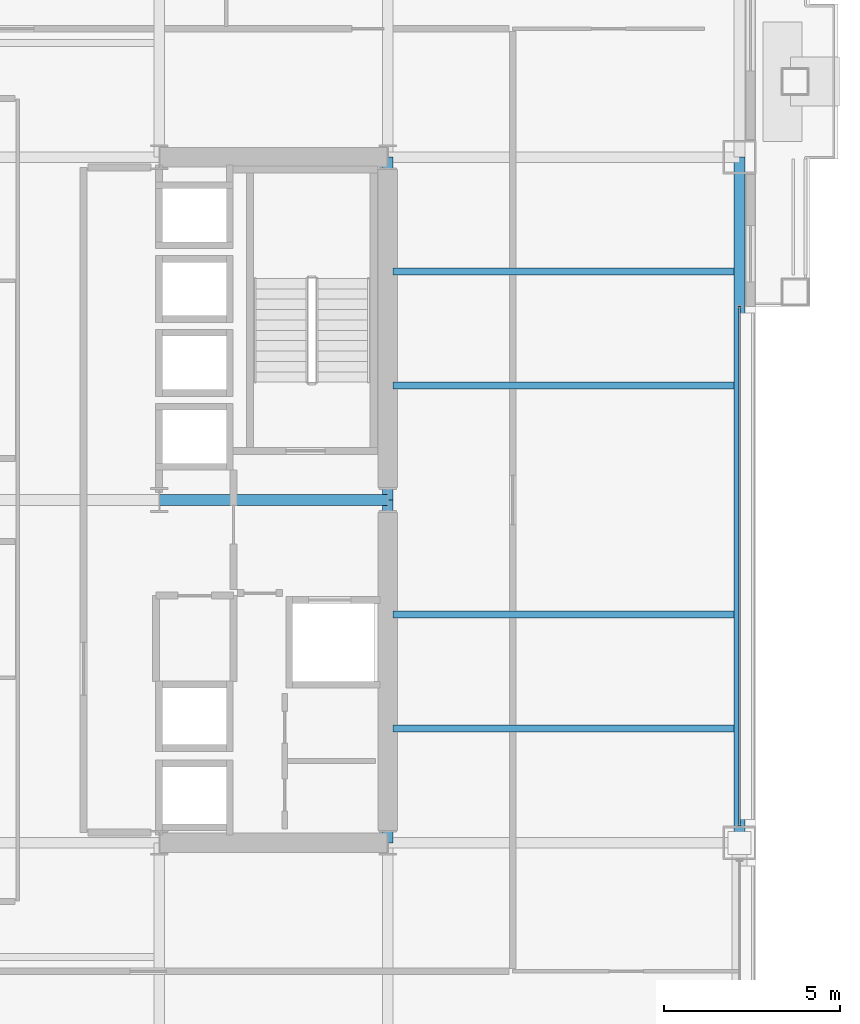
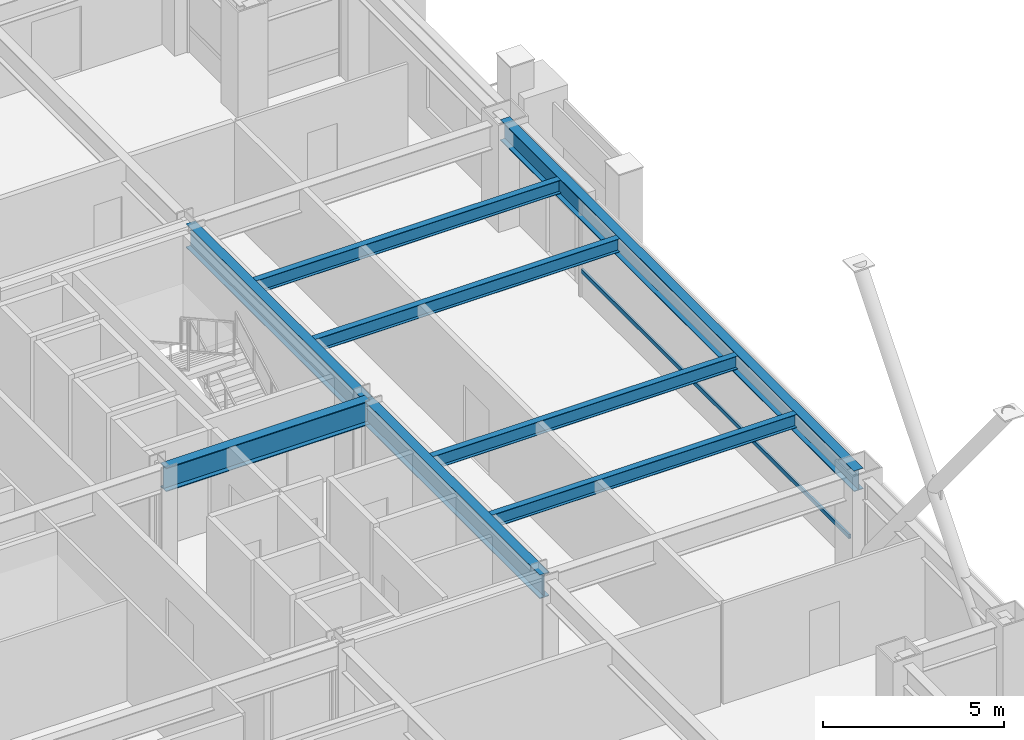
# One storey, part 14 of 33: 8 beams, 1 member, 1 element without a shape of its own.
"""IFC4 building model written with IfcOpenShell, lengths in metres."""

from ifc_helpers import new_model, si_unit, direction, frame, origin, origin_2d, place, context, subcontext, project, spatial, hollow_rectangle, i_section, extrude, material, layer, layer_set, material_profile, profile_set, type_object, element, aggregate, save


model = new_model("IFC4")

# Units and contexts
model_context = context("Model", 3, precision=1e-05, world=origin(), true_north=direction((0.0, 1.0)))
body_context = subcontext(model_context, "Body", "Model", "MODEL_VIEW")
ifc_project = project(units=[si_unit("LENGTHUNIT", "METRE"), si_unit("AREAUNIT", "SQUARE_METRE"), si_unit("VOLUMEUNIT", "CUBIC_METRE"), si_unit("PLANEANGLEUNIT", "RADIAN"), si_unit("MASSUNIT", "GRAM", prefix="KILO")], contexts=[model_context])

# Site, building, storey
site_placement = place(None, origin())
site = spatial("IfcSite", under=ifc_project, at=site_placement, CompositionType="ELEMENT")
building_placement = place(site_placement, origin())
building = spatial("IfcBuilding", under=site, at=building_placement, Name="Brelmoor Portico Tower", CompositionType="ELEMENT")
storey_placement = place(building_placement, frame((0.0, 0.0, 34.800048828125)))
storey = spatial("IfcBuildingStorey", under=building, at=storey_placement, Name="L08", CompositionType="ELEMENT", Elevation=34.800048828125)

# Beams
ifc_material_1 = material(Name="Steel Q355B", Category="steel")
ifc_material_profile_1 = material_profile(ifc_material_1, i_section(OverallWidth=0.199951171875, OverallDepth=0.449951171875, WebThickness=0.009033203125, FlangeThickness=0.013916015625, at=origin_2d()), Name="HN 450x200x9x14")
ifc_profile_set_1 = profile_set([ifc_material_profile_1], Name="Steel Q355B")
beam_type_1 = type_object("IfcBeamType", Name="BM-JS-450", PredefinedType="JOIST", material=ifc_profile_set_1)
for number, where, z_axis, x_axis, name in (
    (1, (14.699951171875, -6.5, 3.175048828125), (1.0, 0.0, 0.0), (0.0, 1.0, 0.0), "L08 Secondary Wing Joist JS-E09"),
    (2, (14.699951171875, -3.25, 3.175048828125), (1.0, 0.0, 0.0), (0.0, 1.0, 0.0), "L08 Secondary Wing Joist JS-E10"),
    (3, (14.699951171875, 3.25, 3.175048828125), (1.0, 0.0, 0.0), (0.0, 1.0, 0.0), "L08 Secondary Wing Joist JS-E11"),
    (4, (14.699951171875, 6.5, 3.175048828125), (1.0, 0.0, 0.0), (0.0, 1.0, 0.0), "L08 Secondary Wing Joist JS-E12"),
):
    element("IfcBeam", number, at=place(storey_placement, frame(where, z_axis=z_axis, x_axis=x_axis)), inside=storey, type_object=beam_type_1, Name=name, PredefinedType="JOIST", context=body_context, shape_type="SweptSolid", body=[
        extrude(i_section(OverallWidth=0.199951171875, OverallDepth=0.449951171875, WebThickness=0.009033203125, FlangeThickness=0.013916015625, at=origin_2d()), origin(), (0.0, 0.0, 1.0), 9.699951171875),
    ])
ifc_material_profile_2 = material_profile(ifc_material_1, i_section(OverallWidth=0.300048828125, OverallDepth=0.800048828125, WebThickness=0.013916015625, FlangeThickness=0.02587890625, at=origin_2d()), Name="HN 800x300x14x26")
ifc_profile_set_2 = profile_set([ifc_material_profile_2], Name="Steel Q355B")
beam_type_2 = type_object("IfcBeamType", Name="BM-PG-800", PredefinedType="BEAM", material=ifc_profile_set_2)
for number, where, z_axis, x_axis, name in (
    (5, (14.550048828125, -9.75, 3.0), (0.0, 1.0, 0.0), (-1.0, 0.0, 0.0), "L08 Primary Floor Girder PG-12"),
    (6, (14.550048828125, 0.0, 3.0), (0.0, 1.0, 0.0), (-1.0, 0.0, 0.0), "L08 Primary Floor Girder PG-13"),
):
    element("IfcBeam", number, at=place(storey_placement, frame(where, z_axis=z_axis, x_axis=x_axis)), inside=storey, type_object=beam_type_2, Name=name, PredefinedType="BEAM", context=body_context, shape_type="SweptSolid", body=[
        extrude(i_section(OverallWidth=0.300048828125, OverallDepth=0.800048828125, WebThickness=0.013916015625, FlangeThickness=0.02587890625, at=origin_2d()), origin(), (0.0, 0.0, 1.0), 9.75),
    ])
beam_1_placement = place(storey_placement, frame((8.050048828125, 0.0, 3.0), z_axis=(1.0, 0.0, 0.0), x_axis=(0.0, 1.0, 0.0)))
element("IfcBeam", 7, at=beam_1_placement, inside=storey, type_object=beam_type_2, Name="L08 Primary Floor Girder PG-26", PredefinedType="BEAM", context=body_context, shape_type="SweptSolid", body=[
    extrude(i_section(OverallWidth=0.300048828125, OverallDepth=0.800048828125, WebThickness=0.013916015625, FlangeThickness=0.02587890625, at=origin_2d()), origin(), (0.0, 0.0, 1.0), 6.5),
])
ifc_material_profile_3 = material_profile(ifc_material_1, i_section(OverallWidth=0.300048828125, OverallDepth=0.699951171875, WebThickness=0.012939453125, FlangeThickness=0.02392578125, at=origin_2d()), Name="HN 700x300x13x24")
ifc_profile_set_3 = profile_set([ifc_material_profile_3], Name="Steel Q355B")
beam_type_3 = type_object("IfcBeamType", Name="BM-SP-700", PredefinedType="SPANDREL", material=ifc_profile_set_3)
beam_2_placement = place(storey_placement, frame((24.550048828125, -9.75, 3.050048828125), z_axis=(0.0, 1.0, 0.0), x_axis=(-1.0, 0.0, 0.0)))
element("IfcBeam", 8, at=beam_2_placement, inside=storey, type_object=beam_type_3, Name="L08 Perimeter Spandrel Beam SP-23", PredefinedType="SPANDREL", context=body_context, shape_type="SweptSolid", body=[
    extrude(i_section(OverallWidth=0.300048828125, OverallDepth=0.699951171875, WebThickness=0.012939453125, FlangeThickness=0.02392578125, at=origin_2d()), origin(), (0.0, 0.0, 1.0), 19.5),
])

# Curtain wall, member
ifc_material_2 = material(Name="Anodised Aluminium Alloy 6063-T6", Category="aluminium")
ifc_layer = layer(ifc_material_2, 0.179931640625)
ifc_layer_set = layer_set([ifc_layer], Name="Anodised Aluminium Alloy 6063-T6")
curtain_wall_type = type_object("IfcCurtainWallType", Name="CW-TOWER-Z1", PredefinedType="NOTDEFINED", material=ifc_layer_set)
curtain_wall_placement = place(storey_placement, origin())
curtain_wall = element("IfcCurtainWall", 9, at=curtain_wall_placement, inside=storey, type_object=curtain_wall_type, Name="L08 Curtain Wall CW-L08-4L-2", PredefinedType="NOTDEFINED")
ifc_material_profile_4 = material_profile(ifc_material_2, hollow_rectangle(XDim=0.06494140625, YDim=0.139892578125, WallThickness=0.00390625, at=origin_2d()), Name="ALU TRANSOM 65x140")
ifc_profile_set_4 = profile_set([ifc_material_profile_4], Name="Anodised Aluminium Alloy 6063-T6")
member_type = type_object("IfcMemberType", Name="MB-CW-TRAN-140", PredefinedType="USERDEFINED", material=ifc_profile_set_4)
member_placement = place(storey_placement, frame((24.550048828125, -9.264892578125, 0.849853515625), z_axis=(0.0, 1.0, 0.0), x_axis=(-1.0, 0.0, 0.0)))
member = element("IfcMember", 10, at=member_placement, type_object=member_type, Name="CW-L08-4L-2 Transom 1-00", ObjectType="TRANSOM", PredefinedType="USERDEFINED", context=body_context, shape_type="SweptSolid", body=[
    extrude(hollow_rectangle(XDim=0.06494140625, YDim=0.139892578125, WallThickness=0.00390625, at=origin_2d()), origin(), (0.0, 0.0, 1.0), 14.764892578125),
])
aggregate(curtain_wall, [member])

save(model, "model.ifc")
